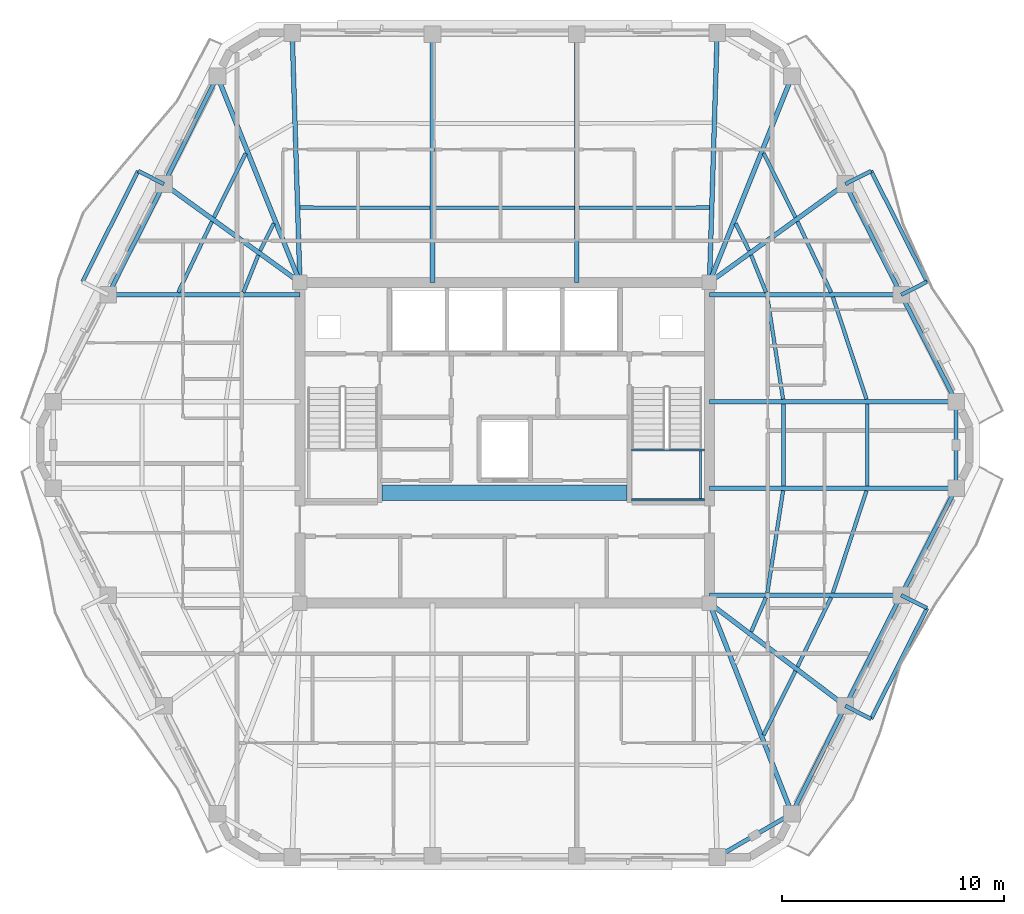
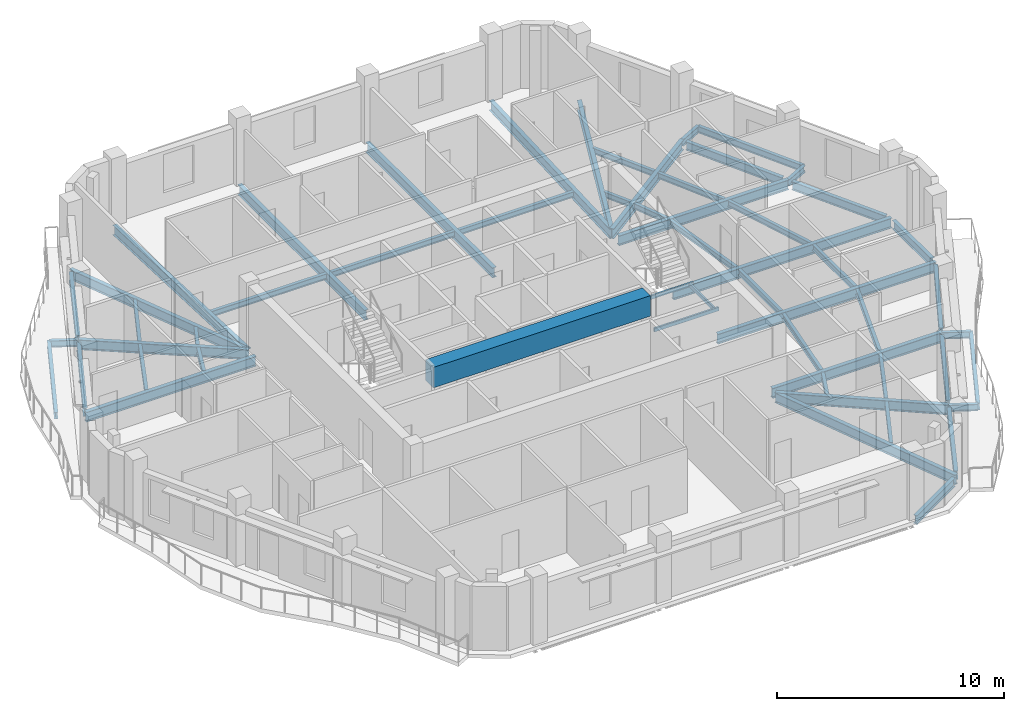
# One storey, part 2 of 11: 56 beams.
"""IFC4 building model written with IfcOpenShell, lengths in metres."""

from ifc_helpers import new_model, si_unit, direction, frame, origin, origin_2d, place, context, subcontext, project, spatial, rectangle, hollow_rectangle, i_section, extrude, material, material_profile, profile_set, type_object, element, save


model = new_model("IFC4")

# Units and contexts
model_context = context("Model", 3, precision=1e-05, world=origin(), true_north=direction((0.0, 1.0)))
body_context = subcontext(model_context, "Body", "Model", "MODEL_VIEW")
ifc_project = project(units=[si_unit("LENGTHUNIT", "METRE"), si_unit("AREAUNIT", "SQUARE_METRE"), si_unit("VOLUMEUNIT", "CUBIC_METRE"), si_unit("PLANEANGLEUNIT", "RADIAN"), si_unit("MASSUNIT", "GRAM", prefix="KILO")], contexts=[model_context])

# Site, building, storey
site_placement = place(None, origin())
site = spatial("IfcSite", under=ifc_project, at=site_placement, CompositionType="ELEMENT")
building_placement = place(site_placement, origin())
building = spatial("IfcBuilding", under=site, at=building_placement, Name="Cinnabar Lancet Tower", CompositionType="ELEMENT")
storey_placement = place(building_placement, frame((0.0, 0.0, 256.199951171875)))
storey = spatial("IfcBuildingStorey", under=building, at=storey_placement, Name="L68", CompositionType="ELEMENT", Elevation=256.199951171875)

# Beams
ifc_material_1 = material(Name="Concrete C70/85", Category="concrete")
ifc_material_profile_1 = material_profile(ifc_material_1, rectangle(XDim=0.699951171875, YDim=1.10009765625, at=origin_2d()), Name="RC-CB 700x1100")
ifc_profile_set_1 = profile_set([ifc_material_profile_1], Name="Concrete C70/85")
beam_type_1 = type_object("IfcBeamType", Name="STR-BM-CB-1100", PredefinedType="BEAM", material=ifc_profile_set_1)
beam_1_placement = place(storey_placement, frame((26.8798828125, 23.64990234375, 2.900146484375), z_axis=(1.0, 0.0, 0.0), x_axis=(0.0, 1.0, 0.0)))
element("IfcBeam", 1, at=beam_1_placement, inside=storey, type_object=beam_type_1, Name="L68 Core Coupling Beam", PredefinedType="BEAM", context=body_context, shape_type="SweptSolid", body=[
    extrude(rectangle(XDim=0.699951171875, YDim=1.10009765625, at=origin_2d()), origin(), (0.0, 0.0, 1.0), 11.0400390625),
])
ifc_material_2 = material(Name="Structural steel S355", Category="steel")
ifc_material_profile_2 = material_profile(ifc_material_2, i_section(OverallWidth=0.1650390625, OverallDepth=0.303466796875, WebThickness=0.006103515625, FlangeThickness=0.01025390625, FilletRadius=0.0087890625, at=origin_2d()), Name="UKB 305x165x40")
ifc_profile_set_2 = profile_set([ifc_material_profile_2], Name="Structural steel S355")
beam_type_2 = type_object("IfcBeamType", Name="STR-BM-JST-305", PredefinedType="JOIST", material=ifc_profile_set_2)
beam_2_placement = place(storey_placement, frame((44.06591796875, 12.73193359375, -0.35205078125), z_axis=(0.444391284604, 0.895832789179, 0.0), x_axis=(-0.895832789179, 0.444391284604, 0.0)))
element("IfcBeam", 2, at=beam_2_placement, inside=storey, type_object=beam_type_2, Name="L68 Secondary Floor Joist 15", PredefinedType="JOIST", context=body_context, shape_type="SweptSolid", body=[
    extrude(i_section(OverallWidth=0.1650390625, OverallDepth=0.303466796875, WebThickness=0.006103515625, FlangeThickness=0.01025390625, FilletRadius=0.0087890625, at=origin_2d()), origin(), (0.0, 0.0, 1.0), 3.220458984375),
])
beam_3_placement = place(storey_placement, frame((45.591064453125, 15.80810546875, -0.35205078125), z_axis=(0.43610936109, 0.899893674369, 0.0), x_axis=(-0.899893674369, 0.43610936109, 0.0)))
element("IfcBeam", 3, at=beam_3_placement, inside=storey, type_object=beam_type_2, Name="L68 Secondary Floor Joist 17", PredefinedType="JOIST", context=body_context, shape_type="SweptSolid", body=[
    extrude(i_section(OverallWidth=0.1650390625, OverallDepth=0.303466796875, WebThickness=0.006103515625, FlangeThickness=0.01025390625, FilletRadius=0.0087890625, at=origin_2d()), origin(), (0.0, 0.0, 1.0), 3.467041015625),
])
beam_4_placement = place(storey_placement, frame((43.5048828125, 17.385009765625, -0.35205078125), z_axis=(0.396302440144, 0.91812002262, 0.0), x_axis=(-0.91812002262, 0.396302440144, 0.0)))
element("IfcBeam", 4, at=beam_4_placement, inside=storey, type_object=beam_type_2, Name="L68 Secondary Floor Joist 18", PredefinedType="JOIST", context=body_context, shape_type="SweptSolid", body=[
    extrude(i_section(OverallWidth=0.1650390625, OverallDepth=0.303466796875, WebThickness=0.006103515625, FlangeThickness=0.01025390625, FilletRadius=0.0087890625, at=origin_2d()), origin(), (0.0, 0.0, 1.0), 1.6806640625),
])
beam_5_placement = place(storey_placement, frame((47.18798828125, 19.137939453125, -0.35205078125), z_axis=(0.312491145371, 0.949920672512, 0.0), x_axis=(-0.949920672512, 0.312491145371, 0.0)))
element("IfcBeam", 5, at=beam_5_placement, inside=storey, type_object=beam_type_2, Name="L68 Secondary Floor Joist 19", PredefinedType="JOIST", context=body_context, shape_type="SweptSolid", body=[
    extrude(i_section(OverallWidth=0.1650390625, OverallDepth=0.303466796875, WebThickness=0.006103515625, FlangeThickness=0.01025390625, FilletRadius=0.0087890625, at=origin_2d()), origin(), (0.0, 0.0, 1.0), 4.8447265625),
])
beam_6_placement = place(storey_placement, frame((44.23291015625, 19.137939453125, -0.35205078125), z_axis=(0.152262059154, 0.988340156698, 0.0), x_axis=(-0.988340156698, 0.152262059154, 0.0)))
element("IfcBeam", 6, at=beam_6_placement, inside=storey, type_object=beam_type_2, Name="L68 Secondary Floor Joist 20", PredefinedType="JOIST", context=body_context, shape_type="SweptSolid", body=[
    extrude(i_section(OverallWidth=0.1650390625, OverallDepth=0.303466796875, WebThickness=0.006103515625, FlangeThickness=0.01025390625, FilletRadius=0.0087890625, at=origin_2d()), origin(), (0.0, 0.0, 1.0), 4.65625),
])
for number, where, z_axis, x_axis, name in (
    (7, (48.737060546875, 23.949951171875, -0.35205078125), (0.0, 1.0, 0.0), (-1.0, 0.0, 0.0), "L68 Secondary Floor Joist 21"),
    (8, (44.958984375, 23.949951171875, -0.35205078125), (0.0, 1.0, 0.0), (-1.0, 0.0, 0.0), "L68 Secondary Floor Joist 22"),
):
    element("IfcBeam", number, at=place(storey_placement, frame(where, z_axis=z_axis, x_axis=x_axis)), inside=storey, type_object=beam_type_2, Name=name, PredefinedType="JOIST", context=body_context, shape_type="SweptSolid", body=[
        extrude(i_section(OverallWidth=0.1650390625, OverallDepth=0.303466796875, WebThickness=0.006103515625, FlangeThickness=0.01025390625, FilletRadius=0.0087890625, at=origin_2d()), origin(), (0.0, 0.0, 1.0), 3.699951171875),
    ])
beam_7_placement = place(storey_placement, frame((48.701904296875, 27.860107421875, -0.35205078125), z_axis=(-0.312506104996, 0.94991575118, 0.0), x_axis=(-0.94991575118, -0.312506104996, 0.0)))
element("IfcBeam", 9, at=beam_7_placement, inside=storey, type_object=beam_type_2, Name="L68 Secondary Floor Joist 23", PredefinedType="JOIST", context=body_context, shape_type="SweptSolid", body=[
    extrude(i_section(OverallWidth=0.1650390625, OverallDepth=0.303466796875, WebThickness=0.006103515625, FlangeThickness=0.01025390625, FilletRadius=0.0087890625, at=origin_2d()), origin(), (0.0, 0.0, 1.0), 4.844482421875),
])
beam_8_placement = place(storey_placement, frame((44.94189453125, 27.860107421875, -0.35205078125), z_axis=(-0.152269949853, 0.988338941038, 0.0), x_axis=(-0.988338941038, -0.152269949853, 0.0)))
element("IfcBeam", 10, at=beam_8_placement, inside=storey, type_object=beam_type_2, Name="L68 Secondary Floor Joist 24", PredefinedType="JOIST", context=body_context, shape_type="SweptSolid", body=[
    extrude(i_section(OverallWidth=0.1650390625, OverallDepth=0.303466796875, WebThickness=0.006103515625, FlangeThickness=0.01025390625, FilletRadius=0.0087890625, at=origin_2d()), origin(), (0.0, 0.0, 1.0), 4.656005859375),
])
beam_9_placement = place(storey_placement, frame((47.10400390625, 32.672119140625, -0.35205078125), z_axis=(-0.428647868514, 0.903471640296, 0.0), x_axis=(-0.903471640296, -0.428647868514, 0.0)))
element("IfcBeam", 11, at=beam_9_placement, inside=storey, type_object=beam_type_2, Name="L68 Secondary Floor Joist 25", PredefinedType="JOIST", context=body_context, shape_type="SweptSolid", body=[
    extrude(i_section(OverallWidth=0.1650390625, OverallDepth=0.303466796875, WebThickness=0.006103515625, FlangeThickness=0.01025390625, FilletRadius=0.0087890625, at=origin_2d()), origin(), (0.0, 0.0, 1.0), 3.53173828125),
])
beam_10_placement = place(storey_placement, frame((44.175048828125, 32.672119140625, -0.35205078125), z_axis=(-0.37155332079, 0.928411616585, 0.0), x_axis=(-0.928411616585, -0.37155332079, 0.0)))
element("IfcBeam", 12, at=beam_10_placement, inside=storey, type_object=beam_type_2, Name="L68 Secondary Floor Joist 26", PredefinedType="JOIST", context=body_context, shape_type="SweptSolid", body=[
    extrude(i_section(OverallWidth=0.1650390625, OverallDepth=0.303466796875, WebThickness=0.006103515625, FlangeThickness=0.01025390625, FilletRadius=0.0087890625, at=origin_2d()), origin(), (0.0, 0.0, 1.0), 1.8115234375),
])
beam_11_placement = place(storey_placement, frame((45.4970703125, 36.054931640625, -0.35205078125), z_axis=(-0.44427059531, 0.895892648783, 0.0), x_axis=(-0.895892648783, -0.44427059531, 0.0)))
element("IfcBeam", 13, at=beam_11_placement, inside=storey, type_object=beam_type_2, Name="L68 Secondary Floor Joist 27", PredefinedType="JOIST", context=body_context, shape_type="SweptSolid", body=[
    extrude(i_section(OverallWidth=0.1650390625, OverallDepth=0.303466796875, WebThickness=0.006103515625, FlangeThickness=0.01025390625, FilletRadius=0.0087890625, at=origin_2d()), origin(), (0.0, 0.0, 1.0), 3.221435546875),
])
beam_12_placement = place(storey_placement, frame((43.4150390625, 34.549072265625, -0.35205078125), z_axis=(-0.444661746427, 0.895698571655, 0.0), x_axis=(-0.895698571655, -0.444661746427, 0.0)))
element("IfcBeam", 14, at=beam_12_placement, inside=storey, type_object=beam_type_2, Name="L68 Secondary Floor Joist 28", PredefinedType="JOIST", context=body_context, shape_type="SweptSolid", body=[
    extrude(i_section(OverallWidth=0.1650390625, OverallDepth=0.303466796875, WebThickness=0.006103515625, FlangeThickness=0.01025390625, FilletRadius=0.0087890625, at=origin_2d()), origin(), (0.0, 0.0, 1.0), 1.378662109375),
])
beam_13_placement = place(storey_placement, frame((41.6240234375, 36.49609375, -0.35205078125), z_axis=(-0.999996226008, -0.002747356738, 0.0), x_axis=(0.002747356738, -0.999996226008, 0.0)))
element("IfcBeam", 15, at=beam_13_placement, inside=storey, type_object=beam_type_2, Name="L68 Secondary Floor Joist 31", PredefinedType="JOIST", context=body_context, shape_type="SweptSolid", body=[
    extrude(i_section(OverallWidth=0.1650390625, OverallDepth=0.303466796875, WebThickness=0.006103515625, FlangeThickness=0.01025390625, FilletRadius=0.0087890625, at=origin_2d()), origin(), (0.0, 0.0, 1.0), 5.864990234375),
])
beam_14_placement = place(storey_placement, frame((35.549072265625, 36.47998046875, -0.35205078125), z_axis=(-1.0, 0.0, 0.0), x_axis=(0.0, -1.0, 0.0)))
element("IfcBeam", 16, at=beam_14_placement, inside=storey, type_object=beam_type_2, Name="L68 Secondary Floor Joist 33", PredefinedType="JOIST", context=body_context, shape_type="SweptSolid", body=[
    extrude(i_section(OverallWidth=0.1650390625, OverallDepth=0.303466796875, WebThickness=0.006103515625, FlangeThickness=0.01025390625, FilletRadius=0.0087890625, at=origin_2d()), origin(), (0.0, 0.0, 1.0), 6.298095703125),
])
beam_15_placement = place(storey_placement, frame((29.041015625, 36.47998046875, -0.35205078125), z_axis=(-0.999996226008, 0.002747356738, 0.0), x_axis=(-0.002747356738, -0.999996226008, 0.0)))
element("IfcBeam", 17, at=beam_15_placement, inside=storey, type_object=beam_type_2, Name="L68 Secondary Floor Joist 35", PredefinedType="JOIST", context=body_context, shape_type="SweptSolid", body=[
    extrude(i_section(OverallWidth=0.1650390625, OverallDepth=0.303466796875, WebThickness=0.006103515625, FlangeThickness=0.01025390625, FilletRadius=0.0087890625, at=origin_2d()), origin(), (0.0, 0.0, 1.0), 5.864990234375),
])
beam_16_placement = place(storey_placement, frame((20.73388671875, 38.94091796875, -0.35205078125), z_axis=(-0.444209762814, -0.89592281287, 0.0), x_axis=(0.89592281287, -0.444209762814, 0.0)))
element("IfcBeam", 18, at=beam_16_placement, inside=storey, type_object=beam_type_2, Name="L68 Secondary Floor Joist 37", PredefinedType="JOIST", context=body_context, shape_type="SweptSolid", body=[
    extrude(i_section(OverallWidth=0.1650390625, OverallDepth=0.303466796875, WebThickness=0.006103515625, FlangeThickness=0.01025390625, FilletRadius=0.0087890625, at=origin_2d()), origin(), (0.0, 0.0, 1.0), 3.22119140625),
])
beam_17_placement = place(storey_placement, frame((21.998046875, 35.783935546875, -0.35205078125), z_axis=(-0.444661746427, -0.895698571655, 0.0), x_axis=(0.895698571655, -0.444661746427, 0.0)))
element("IfcBeam", 19, at=beam_17_placement, inside=storey, type_object=beam_type_2, Name="L68 Secondary Floor Joist 38", PredefinedType="JOIST", context=body_context, shape_type="SweptSolid", body=[
    extrude(i_section(OverallWidth=0.1650390625, OverallDepth=0.303466796875, WebThickness=0.006103515625, FlangeThickness=0.01025390625, FilletRadius=0.0087890625, at=origin_2d()), origin(), (0.0, 0.0, 1.0), 1.378662109375),
])
beam_18_placement = place(storey_placement, frame((19.2099609375, 35.863037109375, -0.35205078125), z_axis=(-0.428647868514, -0.903471640296, 0.0), x_axis=(0.903471640296, -0.428647868514, 0.0)))
element("IfcBeam", 20, at=beam_18_placement, inside=storey, type_object=beam_type_2, Name="L68 Secondary Floor Joist 39", PredefinedType="JOIST", context=body_context, shape_type="SweptSolid", body=[
    extrude(i_section(OverallWidth=0.1650390625, OverallDepth=0.303466796875, WebThickness=0.006103515625, FlangeThickness=0.01025390625, FilletRadius=0.0087890625, at=origin_2d()), origin(), (0.0, 0.0, 1.0), 3.53173828125),
])
beam_19_placement = place(storey_placement, frame((21.298095703125, 34.35400390625, -0.35205078125), z_axis=(-0.37155332079, -0.928411616585, 0.0), x_axis=(0.928411616585, -0.37155332079, 0.0)))
element("IfcBeam", 21, at=beam_19_placement, inside=storey, type_object=beam_type_2, Name="L68 Secondary Floor Joist 40", PredefinedType="JOIST", context=body_context, shape_type="SweptSolid", body=[
    extrude(i_section(OverallWidth=0.1650390625, OverallDepth=0.303466796875, WebThickness=0.006103515625, FlangeThickness=0.01025390625, FilletRadius=0.0087890625, at=origin_2d()), origin(), (0.0, 0.0, 1.0), 1.8115234375),
])
ifc_material_3 = material(Name="Structural steel S355", Category="steel")
ifc_material_profile_3 = material_profile(ifc_material_3, hollow_rectangle(XDim=0.10009765625, YDim=0.199951171875, WallThickness=0.008056640625, InnerFilletRadius=0.00390625, OuterFilletRadius=0.011962890625, at=origin_2d()), Name="RHS 200x100x8")
ifc_profile_set_3 = profile_set([ifc_material_profile_3], Name="Structural steel S355")
beam_type_3 = type_object("IfcBeamType", Name="STR-BM-LND-203", PredefinedType="BEAM", material=ifc_profile_set_3)
for number, where, z_axis, x_axis, name in (
    (22, (38.1201171875, 23.330078125, 1.525146484375), (1.0, 0.0, 0.0), (0.0, 1.0, 0.0), "L68 ST-2-L68 Landing Support Beam S"),
    (23, (38.1201171875, 25.570068359375, 1.525146484375), (1.0, 0.0, 0.0), (0.0, 1.0, 0.0), "L68 ST-2-L68 Landing Support Beam N"),
):
    element("IfcBeam", number, at=place(storey_placement, frame(where, z_axis=z_axis, x_axis=x_axis)), inside=storey, type_object=beam_type_3, Name=name, PredefinedType="BEAM", context=body_context, shape_type="SweptSolid", body=[
        extrude(hollow_rectangle(XDim=0.10009765625, YDim=0.199951171875, WallThickness=0.008056640625, InnerFilletRadius=0.00390625, OuterFilletRadius=0.011962890625, at=origin_2d()), origin(), (0.0, 0.0, 1.0), 3.27978515625),
    ])
beam_20_placement = place(storey_placement, frame((41.219970703125, 23.3798828125, 1.525146484375), z_axis=(0.0, 1.0, 0.0), x_axis=(-1.0, 0.0, 0.0)))
element("IfcBeam", 24, at=beam_20_placement, inside=storey, type_object=beam_type_3, Name="L68 ST-2-L68 Landing Side Trimmer Beam", PredefinedType="BEAM", context=body_context, shape_type="SweptSolid", body=[
    extrude(hollow_rectangle(XDim=0.10009765625, YDim=0.199951171875, WallThickness=0.008056640625, InnerFilletRadius=0.00390625, OuterFilletRadius=0.011962890625, at=origin_2d()), origin(), (0.0, 0.0, 1.0), 2.14013671875),
])
ifc_material_4 = material(Name="Structural steel S355", Category="steel")
ifc_material_profile_4 = material_profile(ifc_material_4, i_section(OverallWidth=0.1904296875, OverallDepth=0.45703125, WebThickness=0.009033203125, FlangeThickness=0.014404296875, FilletRadius=0.01025390625, at=origin_2d()), Name="UKB 457x191x74")
ifc_profile_set_4 = profile_set([ifc_material_profile_4], Name="Structural steel S355")
beam_type_4 = type_object("IfcBeamType", Name="STR-BM-SPN-457", PredefinedType="SPANDREL", material=ifc_profile_set_4)
beam_21_placement = place(storey_placement, frame((42.18798828125, 7.364013671875, -0.427978515625), z_axis=(0.865230894194, 0.50137361292, 0.0), x_axis=(-0.50137361292, 0.865230894194, 0.0)))
element("IfcBeam", 25, at=beam_21_placement, inside=storey, type_object=beam_type_4, Name="L68 Perimeter Spandrel 4", PredefinedType="SPANDREL", context=body_context, shape_type="SweptSolid", body=[
    extrude(i_section(OverallWidth=0.1904296875, OverallDepth=0.45703125, WebThickness=0.009033203125, FlangeThickness=0.014404296875, FilletRadius=0.01025390625, at=origin_2d()), origin(), (0.0, 0.0, 1.0), 3.39453125),
])
beam_22_placement = place(storey_placement, frame((45.451904296875, 9.4150390625, -0.427978515625), z_axis=(0.444372599207, 0.895842058107, 0.0), x_axis=(-0.895842058107, 0.444372599207, 0.0)))
element("IfcBeam", 26, at=beam_22_placement, inside=storey, type_object=beam_type_4, Name="L68 Perimeter Spandrel 5", PredefinedType="SPANDREL", context=body_context, shape_type="SweptSolid", body=[
    extrude(i_section(OverallWidth=0.1904296875, OverallDepth=0.45703125, WebThickness=0.009033203125, FlangeThickness=0.014404296875, FilletRadius=0.01025390625, at=origin_2d()), origin(), (0.0, 0.0, 1.0), 4.91943359375),
])
beam_23_placement = place(storey_placement, frame((47.862060546875, 14.26904296875, -0.427978515625), z_axis=(0.450091864122, 0.892982258419, 0.0), x_axis=(-0.892982258419, 0.450091864122, 0.0)))
element("IfcBeam", 27, at=beam_23_placement, inside=storey, type_object=beam_type_4, Name="L68 Perimeter Spandrel 6", PredefinedType="SPANDREL", context=body_context, shape_type="SweptSolid", body=[
    extrude(i_section(OverallWidth=0.1904296875, OverallDepth=0.45703125, WebThickness=0.009033203125, FlangeThickness=0.014404296875, FilletRadius=0.01025390625, at=origin_2d()), origin(), (0.0, 0.0, 1.0), 5.085205078125),
])
beam_24_placement = place(storey_placement, frame((50.3779296875, 19.2548828125, -0.427978515625), z_axis=(0.457127852293, 0.889400993174, 0.0), x_axis=(-0.889400993174, 0.457127852293, 0.0)))
element("IfcBeam", 28, at=beam_24_placement, inside=storey, type_object=beam_type_4, Name="L68 Perimeter Spandrel 7", PredefinedType="SPANDREL", context=body_context, shape_type="SweptSolid", body=[
    extrude(i_section(OverallWidth=0.1904296875, OverallDepth=0.45703125, WebThickness=0.009033203125, FlangeThickness=0.014404296875, FilletRadius=0.01025390625, at=origin_2d()), origin(), (0.0, 0.0, 1.0), 4.911376953125),
])
beam_25_placement = place(storey_placement, frame((52.737060546875, 24.094970703125, -0.427978515625), z_axis=(0.0, 1.0, 0.0), x_axis=(-1.0, 0.0, 0.0)))
element("IfcBeam", 29, at=beam_25_placement, inside=storey, type_object=beam_type_4, Name="L68 Perimeter Spandrel 8", PredefinedType="SPANDREL", context=body_context, shape_type="SweptSolid", body=[
    extrude(i_section(OverallWidth=0.1904296875, OverallDepth=0.45703125, WebThickness=0.009033203125, FlangeThickness=0.014404296875, FilletRadius=0.01025390625, at=origin_2d()), origin(), (0.0, 0.0, 1.0), 3.409912109375),
])
beam_26_placement = place(storey_placement, frame((52.623046875, 27.97705078125, -0.427978515625), z_axis=(-0.457148063427, 0.889390604912, 0.0), x_axis=(-0.889390604912, -0.457148063427, 0.0)))
element("IfcBeam", 30, at=beam_26_placement, inside=storey, type_object=beam_type_4, Name="L68 Perimeter Spandrel 9", PredefinedType="SPANDREL", context=body_context, shape_type="SweptSolid", body=[
    extrude(i_section(OverallWidth=0.1904296875, OverallDepth=0.45703125, WebThickness=0.009033203125, FlangeThickness=0.014404296875, FilletRadius=0.01025390625, at=origin_2d()), origin(), (0.0, 0.0, 1.0), 4.9111328125),
])
beam_27_placement = place(storey_placement, frame((50.15087890625, 32.7900390625, -0.427978515625), z_axis=(-0.450091864122, 0.892982258419, 0.0), x_axis=(-0.892982258419, -0.450091864122, 0.0)))
element("IfcBeam", 31, at=beam_27_placement, inside=storey, type_object=beam_type_4, Name="L68 Perimeter Spandrel 10", PredefinedType="SPANDREL", context=body_context, shape_type="SweptSolid", body=[
    extrude(i_section(OverallWidth=0.1904296875, OverallDepth=0.45703125, WebThickness=0.009033203125, FlangeThickness=0.014404296875, FilletRadius=0.01025390625, at=origin_2d()), origin(), (0.0, 0.0, 1.0), 5.085205078125),
])
beam_28_placement = place(storey_placement, frame((19.347900390625, 42.18505859375, -0.427978515625), z_axis=(-0.44433276947, -0.895861814107, 0.0), x_axis=(0.895861814107, -0.44433276947, 0.0)))
element("IfcBeam", 32, at=beam_28_placement, inside=storey, type_object=beam_type_4, Name="L68 Perimeter Spandrel 17", PredefinedType="SPANDREL", context=body_context, shape_type="SweptSolid", body=[
    extrude(i_section(OverallWidth=0.1904296875, OverallDepth=0.45703125, WebThickness=0.009033203125, FlangeThickness=0.014404296875, FilletRadius=0.01025390625, at=origin_2d()), origin(), (0.0, 0.0, 1.0), 4.919189453125),
])
beam_29_placement = place(storey_placement, frame((16.93798828125, 37.3310546875, -0.427978515625), z_axis=(-0.450130146726, -0.892962961722, 0.0), x_axis=(0.892962961722, -0.450130146726, 0.0)))
element("IfcBeam", 33, at=beam_29_placement, inside=storey, type_object=beam_type_4, Name="L68 Perimeter Spandrel 18", PredefinedType="SPANDREL", context=body_context, shape_type="SweptSolid", body=[
    extrude(i_section(OverallWidth=0.1904296875, OverallDepth=0.45703125, WebThickness=0.009033203125, FlangeThickness=0.014404296875, FilletRadius=0.01025390625, at=origin_2d()), origin(), (0.0, 0.0, 1.0), 5.08544921875),
])
ifc_material_5 = material(Name="Structural steel S355", Category="steel")
ifc_material_profile_5 = material_profile(ifc_material_5, i_section(OverallWidth=0.209228515625, OverallDepth=0.533203125, WebThickness=0.010009765625, FlangeThickness=0.015625, FilletRadius=0.0126953125, at=origin_2d()), Name="UKB 533x210x92")
ifc_profile_set_5 = profile_set([ifc_material_profile_5], Name="Structural steel S355")
beam_type_5 = type_object("IfcBeamType", Name="STR-BM-UKB533-92", PredefinedType="BEAM", material=ifc_profile_set_5)
beam_30_placement = place(storey_placement, frame((47.7490234375, 14.0458984375, -0.467041015625), z_axis=(-0.797735075719, 0.603008083667, 0.0), x_axis=(-0.603008083667, -0.797735075719, 0.0)))
element("IfcBeam", 34, at=beam_30_placement, inside=storey, type_object=beam_type_5, Name="L68 Corner Collector Girder 2", PredefinedType="BEAM", context=body_context, shape_type="SweptSolid", body=[
    extrude(i_section(OverallWidth=0.209228515625, OverallDepth=0.533203125, WebThickness=0.010009765625, FlangeThickness=0.015625, FilletRadius=0.0126953125, at=origin_2d()), origin(), (0.0, 0.0, 1.0), 7.6767578125),
])
for number, where, z_axis, x_axis, name in (
    (35, (47.7490234375, 37.553955078125, -0.467041015625), (-0.810299148474, -0.586016458797, 0.0), (0.586016458797, -0.810299148474, 0.0), "L68 Corner Collector Girder 3"),
    (36, (17.051025390625, 37.553955078125, -0.467041015625), (0.810299148474, -0.586016458797, 0.0), (0.586016458797, 0.810299148474, 0.0), "L68 Corner Collector Girder 4"),
):
    element("IfcBeam", number, at=place(storey_placement, frame(where, z_axis=z_axis, x_axis=x_axis)), inside=storey, type_object=beam_type_5, Name=name, PredefinedType="BEAM", context=body_context, shape_type="SweptSolid", body=[
        extrude(i_section(OverallWidth=0.209228515625, OverallDepth=0.533203125, WebThickness=0.010009765625, FlangeThickness=0.015625, FilletRadius=0.0126953125, at=origin_2d()), origin(), (0.0, 0.0, 1.0), 7.5576171875),
    ])
beam_31_placement = place(storey_placement, frame((45.341064453125, 9.19091796875, -0.467041015625), z_axis=(-0.364815017375, 0.931080019707, 0.0), x_axis=(-0.931080019707, -0.364815017375, 0.0)))
element("IfcBeam", 37, at=beam_31_placement, inside=storey, type_object=beam_type_5, Name="L68 Primary Floor Girder 5", PredefinedType="BEAM", context=body_context, shape_type="SweptSolid", body=[
    extrude(i_section(OverallWidth=0.209228515625, OverallDepth=0.533203125, WebThickness=0.010009765625, FlangeThickness=0.015625, FilletRadius=0.0126953125, at=origin_2d()), origin(), (0.0, 0.0, 1.0), 10.186279296875),
])
beam_32_placement = place(storey_placement, frame((50.263916015625, 19.032958984375, -0.467041015625), z_axis=(-1.0, 0.0, 0.0), x_axis=(0.0, -1.0, 0.0)))
element("IfcBeam", 38, at=beam_32_placement, inside=storey, type_object=beam_type_5, Name="L68 Primary Floor Girder 7", PredefinedType="BEAM", context=body_context, shape_type="SweptSolid", body=[
    extrude(i_section(OverallWidth=0.209228515625, OverallDepth=0.533203125, WebThickness=0.010009765625, FlangeThickness=0.015625, FilletRadius=0.0126953125, at=origin_2d()), origin(), (0.0, 0.0, 1.0), 8.638916015625),
])
for number, where, z_axis, x_axis, name in (
    (39, (52.737060546875, 23.844970703125, -0.467041015625), (-1.0, 0.0, 0.0), (0.0, -1.0, 0.0), "L68 Primary Floor Girder 8"),
    (40, (52.737060546875, 27.7548828125, -0.467041015625), (-1.0, 0.0, 0.0), (0.0, -1.0, 0.0), "L68 Primary Floor Girder 9"),
):
    element("IfcBeam", number, at=place(storey_placement, frame(where, z_axis=z_axis, x_axis=x_axis)), inside=storey, type_object=beam_type_5, Name=name, PredefinedType="BEAM", context=body_context, shape_type="SweptSolid", body=[
        extrude(i_section(OverallWidth=0.209228515625, OverallDepth=0.533203125, WebThickness=0.010009765625, FlangeThickness=0.015625, FilletRadius=0.0126953125, at=origin_2d()), origin(), (0.0, 0.0, 1.0), 11.112060546875),
    ])
beam_33_placement = place(storey_placement, frame((50.263916015625, 32.56689453125, -0.467041015625), z_axis=(-1.0, 0.0, 0.0), x_axis=(0.0, -1.0, 0.0)))
element("IfcBeam", 41, at=beam_33_placement, inside=storey, type_object=beam_type_5, Name="L68 Primary Floor Girder 10", PredefinedType="BEAM", context=body_context, shape_type="SweptSolid", body=[
    extrude(i_section(OverallWidth=0.209228515625, OverallDepth=0.533203125, WebThickness=0.010009765625, FlangeThickness=0.015625, FilletRadius=0.0126953125, at=origin_2d()), origin(), (0.0, 0.0, 1.0), 8.638916015625),
])
beam_34_placement = place(storey_placement, frame((45.341064453125, 42.408935546875, -0.467041015625), z_axis=(-0.371605341166, -0.928390796172, 0.0), x_axis=(0.928390796172, -0.371605341166, 0.0)))
element("IfcBeam", 42, at=beam_34_placement, inside=storey, type_object=beam_type_5, Name="L68 Primary Floor Girder 12", PredefinedType="BEAM", context=body_context, shape_type="SweptSolid", body=[
    extrude(i_section(OverallWidth=0.209228515625, OverallDepth=0.533203125, WebThickness=0.010009765625, FlangeThickness=0.015625, FilletRadius=0.0126953125, at=origin_2d()), origin(), (0.0, 0.0, 1.0), 10.0),
])
beam_35_placement = place(storey_placement, frame((41.971923828125, 44.361083984375, -0.467041015625), z_axis=(-0.030861159652, -0.999523680973, 0.0), x_axis=(0.999523680973, -0.030861159652, 0.0)))
element("IfcBeam", 43, at=beam_35_placement, inside=storey, type_object=beam_type_5, Name="L68 Primary Floor Girder 13", PredefinedType="BEAM", context=body_context, shape_type="SweptSolid", body=[
    extrude(i_section(OverallWidth=0.209228515625, OverallDepth=0.533203125, WebThickness=0.010009765625, FlangeThickness=0.015625, FilletRadius=0.0126953125, at=origin_2d()), origin(), (0.0, 0.0, 1.0), 11.241455078125),
])
for number, where, z_axis, x_axis, name in (
    (44, (35.654052734375, 44.30810546875, -0.467041015625), (0.0, -1.0, 0.0), (1.0, 0.0, 0.0), "L68 Primary Floor Girder 14"),
    (45, (29.14599609375, 44.30810546875, -0.467041015625), (0.0, -1.0, 0.0), (1.0, 0.0, 0.0), "L68 Primary Floor Girder 15"),
):
    element("IfcBeam", number, at=place(storey_placement, frame(where, z_axis=z_axis, x_axis=x_axis)), inside=storey, type_object=beam_type_5, Name=name, PredefinedType="BEAM", context=body_context, shape_type="SweptSolid", body=[
        extrude(i_section(OverallWidth=0.209228515625, OverallDepth=0.533203125, WebThickness=0.010009765625, FlangeThickness=0.015625, FilletRadius=0.0126953125, at=origin_2d()), origin(), (0.0, 0.0, 1.0), 11.18310546875),
    ])
beam_36_placement = place(storey_placement, frame((22.827880859375, 44.361083984375, -0.467041015625), z_axis=(0.030882856862, -0.999523010817, 0.0), x_axis=(0.999523010817, 0.030882856862, 0.0)))
element("IfcBeam", 46, at=beam_36_placement, inside=storey, type_object=beam_type_5, Name="L68 Primary Floor Girder 16", PredefinedType="BEAM", context=body_context, shape_type="SweptSolid", body=[
    extrude(i_section(OverallWidth=0.209228515625, OverallDepth=0.533203125, WebThickness=0.010009765625, FlangeThickness=0.015625, FilletRadius=0.0126953125, at=origin_2d()), origin(), (0.0, 0.0, 1.0), 11.241455078125),
])
beam_37_placement = place(storey_placement, frame((19.458984375, 42.408935546875, -0.467041015625), z_axis=(0.371605341166, -0.928390796172, 0.0), x_axis=(0.928390796172, 0.371605341166, 0.0)))
element("IfcBeam", 47, at=beam_37_placement, inside=storey, type_object=beam_type_5, Name="L68 Primary Floor Girder 17", PredefinedType="BEAM", context=body_context, shape_type="SweptSolid", body=[
    extrude(i_section(OverallWidth=0.209228515625, OverallDepth=0.533203125, WebThickness=0.010009765625, FlangeThickness=0.015625, FilletRadius=0.0126953125, at=origin_2d()), origin(), (0.0, 0.0, 1.0), 10.0),
])
beam_38_placement = place(storey_placement, frame((14.535888671875, 32.56689453125, -0.467041015625), z_axis=(1.0, 0.0, 0.0), x_axis=(0.0, 1.0, 0.0)))
element("IfcBeam", 48, at=beam_38_placement, inside=storey, type_object=beam_type_5, Name="L68 Primary Floor Girder 19", PredefinedType="BEAM", context=body_context, shape_type="SweptSolid", body=[
    extrude(i_section(OverallWidth=0.209228515625, OverallDepth=0.533203125, WebThickness=0.010009765625, FlangeThickness=0.015625, FilletRadius=0.0126953125, at=origin_2d()), origin(), (0.0, 0.0, 1.0), 8.63916015625),
])
ifc_material_6 = material(Name="Structural steel S355", Category="steel")
ifc_material_profile_6 = material_profile(ifc_material_6, i_section(OverallWidth=0.17138671875, OverallDepth=0.35498046875, WebThickness=0.00732421875, FlangeThickness=0.011474609375, FilletRadius=0.01025390625, at=origin_2d()), Name="UKB 356x171x51")
ifc_profile_set_6 = profile_set([ifc_material_profile_6], Name="Structural steel S355")
beam_type_6 = type_object("IfcBeamType", Name="STR-BM-WAV-OUT", PredefinedType="BEAM", material=ifc_profile_set_6)
for number, where, z_axis, x_axis, name in (
    (49, (47.7490234375, 14.0458984375, -0.39794921875), (0.89227592947, -0.451490493464, 0.0), (0.451490493464, 0.89227592947, 0.0), "L68 Face 2 Balcony Outlooker A"),
    (50, (50.263916015625, 19.032958984375, -0.39794921875), (0.892314203325, -0.451414845285, 0.0), (0.451414845285, 0.892314203325, 0.0), "L68 Face 2 Balcony Outlooker B"),
):
    element("IfcBeam", number, at=place(storey_placement, frame(where, z_axis=z_axis, x_axis=x_axis)), inside=storey, type_object=beam_type_6, Name=name, PredefinedType="BEAM", context=body_context, shape_type="SweptSolid", body=[
        extrude(i_section(OverallWidth=0.17138671875, OverallDepth=0.35498046875, WebThickness=0.00732421875, FlangeThickness=0.011474609375, FilletRadius=0.01025390625, at=origin_2d()), origin(), (0.0, 0.0, 1.0), 1.300048828125),
    ])
beam_39_placement = place(storey_placement, frame((50.263916015625, 32.56689453125, -0.39794921875), z_axis=(0.892238560088, 0.451564338597, 0.0), x_axis=(-0.451564338597, 0.892238560088, 0.0)))
element("IfcBeam", 51, at=beam_39_placement, inside=storey, type_object=beam_type_6, Name="L68 Face 3 Balcony Outlooker A", PredefinedType="BEAM", context=body_context, shape_type="SweptSolid", body=[
    extrude(i_section(OverallWidth=0.17138671875, OverallDepth=0.35498046875, WebThickness=0.00732421875, FlangeThickness=0.011474609375, FilletRadius=0.01025390625, at=origin_2d()), origin(), (0.0, 0.0, 1.0), 1.30029296875),
])
for number, where, z_axis, x_axis, name in (
    (52, (47.7490234375, 37.553955078125, -0.39794921875), (0.892200264127, 0.451639998995, 0.0), (-0.451639998995, 0.892200264127, 0.0), "L68 Face 3 Balcony Outlooker B"),
    (53, (17.051025390625, 37.553955078125, -0.39794921875), (-0.892200264127, 0.451639998995, 0.0), (-0.451639998995, -0.892200264127, 0.0), "L68 Face 5 Balcony Outlooker A"),
):
    element("IfcBeam", number, at=place(storey_placement, frame(where, z_axis=z_axis, x_axis=x_axis)), inside=storey, type_object=beam_type_6, Name=name, PredefinedType="BEAM", context=body_context, shape_type="SweptSolid", body=[
        extrude(i_section(OverallWidth=0.17138671875, OverallDepth=0.35498046875, WebThickness=0.00732421875, FlangeThickness=0.011474609375, FilletRadius=0.01025390625, at=origin_2d()), origin(), (0.0, 0.0, 1.0), 1.300048828125),
    ])
ifc_material_7 = material(Name="Structural steel S355", Category="steel")
ifc_material_profile_7 = material_profile(ifc_material_7, i_section(OverallWidth=0.17138671875, OverallDepth=0.35498046875, WebThickness=0.00732421875, FlangeThickness=0.011474609375, FilletRadius=0.01025390625, at=origin_2d()), Name="UKB 356x171x51")
ifc_profile_set_7 = profile_set([ifc_material_profile_7], Name="Structural steel S355")
beam_type_7 = type_object("IfcBeamType", Name="STR-BM-WAV-TRIM", PredefinedType="SPANDREL", material=ifc_profile_set_7)
for number, where, z_axis, x_axis, name in (
    (54, (48.908935546875, 13.458984375, -0.39794921875), (0.450305622338, 0.892874485295, 0.0), (-0.892874485295, 0.450305622338, 0.0), "L68 Face 2 Balcony Edge Trimmer"),
    (55, (51.424072265625, 33.154052734375, -0.39794921875), (-0.450305622338, 0.892874485295, 0.0), (-0.892874485295, -0.450305622338, 0.0), "L68 Face 3 Balcony Edge Trimmer"),
    (56, (15.89111328125, 38.14111328125, -0.39794921875), (-0.450305622338, -0.892874485295, 0.0), (0.892874485295, -0.450305622338, 0.0), "L68 Face 5 Balcony Edge Trimmer"),
):
    element("IfcBeam", number, at=place(storey_placement, frame(where, z_axis=z_axis, x_axis=x_axis)), inside=storey, type_object=beam_type_7, Name=name, PredefinedType="SPANDREL", context=body_context, shape_type="SweptSolid", body=[
        extrude(i_section(OverallWidth=0.17138671875, OverallDepth=0.35498046875, WebThickness=0.00732421875, FlangeThickness=0.011474609375, FilletRadius=0.01025390625, at=origin_2d()), origin(), (0.0, 0.0, 1.0), 5.58544921875),
    ])

save(model, "model.ifc")
